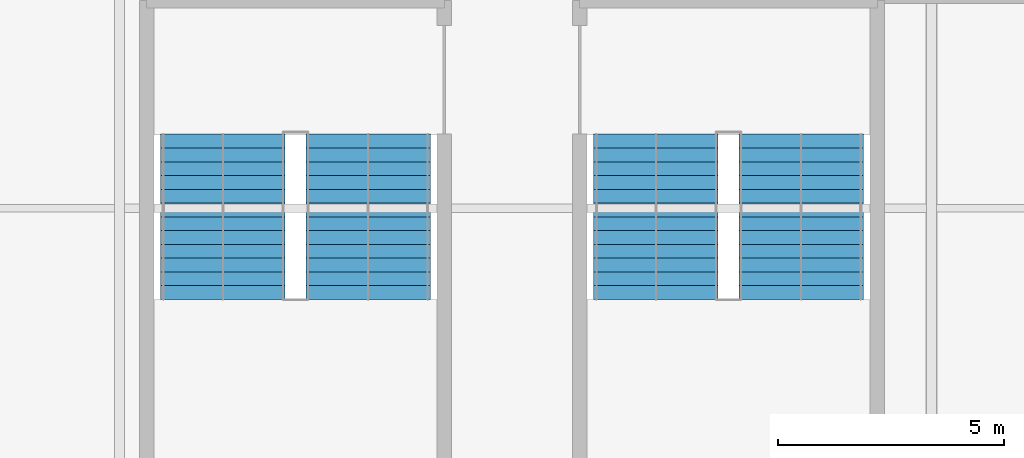
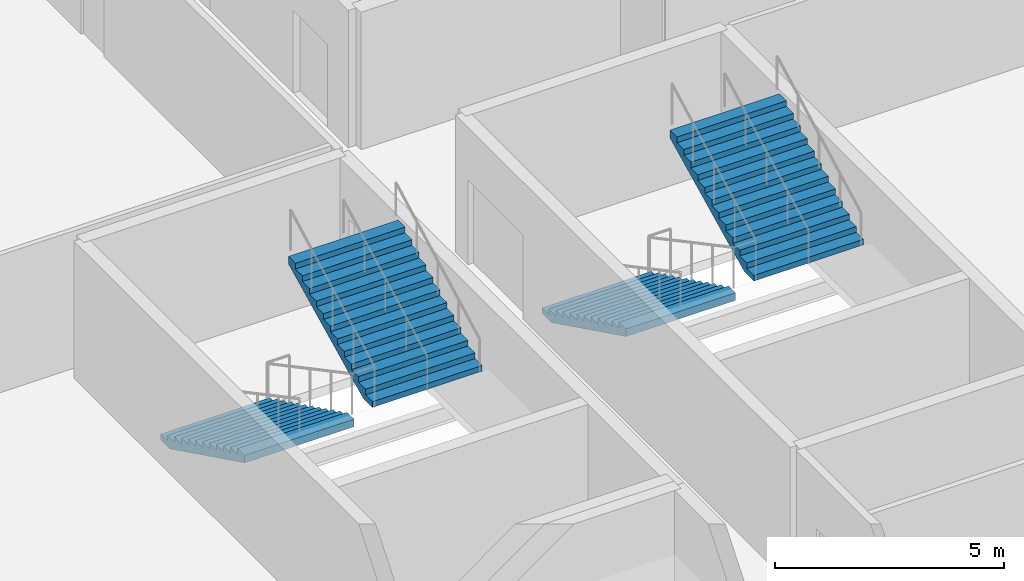
# One storey, part 30 of 35: 4 stair flights, 2 elements without a shape of their own.
"""IFC4 building model written with IfcOpenShell, lengths in metres."""

from ifc_helpers import new_model, si_unit, direction, frame, origin, place, context, subcontext, project, spatial, polygons, material, type_object, element, aggregate, save


model = new_model("IFC4")

# Units and contexts
model_context = context("Model", 3, precision=1e-05, world=origin(), true_north=direction((0.0, 1.0)))
body_context = subcontext(model_context, "Body", "Model", "MODEL_VIEW")
ifc_project = project(units=[si_unit("LENGTHUNIT", "METRE"), si_unit("AREAUNIT", "SQUARE_METRE"), si_unit("VOLUMEUNIT", "CUBIC_METRE"), si_unit("PLANEANGLEUNIT", "RADIAN"), si_unit("MASSUNIT", "GRAM", prefix="KILO")], contexts=[model_context])

# Site, building, storey
site_placement = place(None, origin())
site = spatial("IfcSite", under=ifc_project, at=site_placement, CompositionType="ELEMENT")
building_placement = place(site_placement, origin())
building = spatial("IfcBuilding", under=site, at=building_placement, Name="Kisiwana Market Hall", CompositionType="ELEMENT")
storey_placement = place(building_placement, frame((0.0, 0.0, 61.800048828125)))
storey = spatial("IfcBuildingStorey", under=building, at=storey_placement, Name="L14", CompositionType="ELEMENT", Elevation=61.800048828125)

# Stair, stair flights
ifc_material_1 = material(Name="Concrete C32/40", Category="concrete")
stair_type = type_object("IfcStairType", Name="ST-ESC-3900", PredefinedType="TWO_STRAIGHT_RUN_STAIR", material=ifc_material_1)
stair_1_placement = place(storey_placement, origin())
stair_1 = element("IfcStair", 1, at=stair_1_placement, inside=storey, type_object=stair_type, Name="Escape stair ST-E4-L14", PredefinedType="TWO_STRAIGHT_RUN_STAIR")
ifc_material_2 = material(Name="Concrete C32/40", Category="concrete")
stair_flight_type = type_object("IfcStairFlightType", Name="SF-ESC-3900", PredefinedType="STRAIGHT", material=ifc_material_2)
stair_flight_1_placement = place(storey_placement, frame((182.889892578125, 77.639892578125, 0.0), z_axis=(0.0, 0.0, 1.0), x_axis=(0.0, -1.0, 0.0)))
stair_flight_1 = element("IfcStairFlight", 2, at=stair_flight_1_placement, type_object=stair_flight_type, Name="ST-E4-L14 flight 1", NumberOfRisers=13, NumberOfTreads=12, PredefinedType="STRAIGHT", RiserHeight=0.15, TreadLength=0.305, context=body_context, shape_type="Tessellation", body=[
    polygons([(0.0, -1.380127, 0.0), (0.0, -0.690125, 0.0), (0.0, -0.000122, 0.0), (0.0, 0.68988, 0.0), (0.0, 1.379883, 0.0), (0.0, -1.380127, 0.149902), (0.0, -0.690125, 0.149902), (0.0, -0.000122, 0.149902), (0.0, 0.68988, 0.149902), (0.0, 1.379883, 0.149902), (0.304932, -1.380127, 0.149902), (0.304932, -0.690125, 0.149902), (0.304932, -0.000122, 0.149902), (0.304932, 0.68988, 0.149902), (0.304932, 1.379883, 0.149902), (0.304932, -1.380127, 0.300049), (0.304932, -0.690125, 0.300049), (0.304932, -0.000122, 0.300049), (0.304932, 0.68988, 0.300049), (0.304932, 1.379883, 0.300049), (0.610107, -1.380127, 0.300049), (0.610107, -0.690125, 0.300049), (0.610107, -0.000122, 0.300049), (0.610107, 0.68988, 0.300049), (0.610107, 1.379883, 0.300049), (0.610107, -1.380127, 0.449951), (0.610107, -0.690125, 0.449951), (0.610107, -0.000122, 0.449951), (0.610107, 0.68988, 0.449951), (0.610107, 1.379883, 0.449951), (0.915039, -1.380127, 0.449951), (0.915039, -0.690125, 0.449951), (0.915039, -0.000122, 0.449951), (0.915039, 0.68988, 0.449951), (0.915039, 1.379883, 0.449951), (0.915039, -1.380127, 0.600098), (0.915039, -0.690125, 0.600098), (0.915039, -0.000122, 0.600098), (0.915039, 0.68988, 0.600098), (0.915039, 1.379883, 0.600098), (1.219971, -1.380127, 0.600098), (1.219971, -0.690125, 0.600098), (1.219971, -0.000122, 0.600098), (1.219971, 0.68988, 0.600098), (1.219971, 1.379883, 0.600098), (1.219971, -1.380127, 0.75), (1.219971, -0.690125, 0.75), (1.219971, -0.000122, 0.75), (1.219971, 0.68988, 0.75), (1.219971, 1.379883, 0.75), (1.524902, -1.380127, 0.75), (1.524902, -0.690125, 0.75), (1.524902, -0.000122, 0.75), (1.524902, 0.68988, 0.75), (1.524902, 1.379883, 0.75), (1.524902, -1.380127, 0.899902), (1.524902, -0.690125, 0.899902), (1.524902, -0.000122, 0.899902), (1.524902, 0.68988, 0.899902), (1.524902, 1.379883, 0.899902), (1.830078, -1.380127, 0.899902), (1.830078, -0.690125, 0.899902), (1.830078, -0.000122, 0.899902), (1.830078, 0.68988, 0.899902), (1.830078, 1.379883, 0.899902), (1.830078, -1.380127, 1.050049), (1.830078, -0.690125, 1.050049), (1.830078, -0.000122, 1.050049), (1.830078, 0.68988, 1.050049), (1.830078, 1.379883, 1.050049), (2.13501, -1.380127, 1.050049), (2.13501, -0.690125, 1.050049), (2.13501, -0.000122, 1.050049), (2.13501, 0.68988, 1.050049), (2.13501, 1.379883, 1.050049), (2.13501, -1.380127, 1.199951), (2.13501, -0.690125, 1.199951), (2.13501, -0.000122, 1.199951), (2.13501, 0.68988, 1.199951), (2.13501, 1.379883, 1.199951), (2.439941, -1.380127, 1.199951), (2.439941, -0.690125, 1.199951), (2.439941, -0.000122, 1.199951), (2.439941, 0.68988, 1.199951), (2.439941, 1.379883, 1.199951), (2.439941, -1.380127, 1.350098), (2.439941, -0.690125, 1.350098), (2.439941, -0.000122, 1.350098), (2.439941, 0.68988, 1.350098), (2.439941, 1.379883, 1.350098), (2.745117, -1.380127, 1.350098), (2.745117, -0.690125, 1.350098), (2.745117, -0.000122, 1.350098), (2.745117, 0.68988, 1.350098), (2.745117, 1.379883, 1.350098), (2.745117, -1.380127, 1.5), (2.745117, -0.690125, 1.5), (2.745117, -0.000122, 1.5), (2.745117, 0.68988, 1.5), (2.745117, 1.379883, 1.5), (3.050049, -1.380127, 1.5), (3.050049, -0.690125, 1.5), (3.050049, -0.000122, 1.5), (3.050049, 0.68988, 1.5), (3.050049, 1.379883, 1.5), (3.050049, -1.380127, 1.649902), (3.050049, -0.690125, 1.649902), (3.050049, -0.000122, 1.649902), (3.050049, 0.68988, 1.649902), (3.050049, 1.379883, 1.649902), (3.35498, -1.380127, 1.649902), (3.35498, -0.690125, 1.649902), (3.35498, -0.000122, 1.649902), (3.35498, 0.68988, 1.649902), (3.35498, 1.379883, 1.649902), (3.35498, -1.380127, 1.800049), (3.35498, -0.690125, 1.800049), (3.35498, -0.000122, 1.800049), (3.35498, 0.68988, 1.800049), (3.35498, 1.379883, 1.800049), (3.659912, -1.380127, 1.800049), (3.659912, -0.690125, 1.800049), (3.659912, -0.000122, 1.800049), (3.659912, 0.68988, 1.800049), (3.659912, 1.379883, 1.800049), (3.659912, -1.380127, 1.599365), (3.659912, -0.690125, 1.599365), (3.659912, -0.000122, 1.599365), (3.659912, 0.68988, 1.599365), (3.659912, 1.379883, 1.599365), (0.407715, -1.380127, 0.0), (0.407715, -0.690125, 0.0), (0.407715, -0.000122, 0.0), (0.407715, 0.68988, 0.0), (0.407715, 1.379883, 0.0)], [[[1, 6, 7, 2]], [[2, 7, 8, 3]], [[3, 8, 9, 4]], [[4, 9, 10, 5]], [[6, 11, 12, 7]], [[7, 12, 13, 8]], [[8, 13, 14, 9]], [[9, 14, 15, 10]], [[11, 16, 17, 12]], [[12, 17, 18, 13]], [[13, 18, 19, 14]], [[14, 19, 20, 15]], [[16, 21, 22, 17]], [[17, 22, 23, 18]], [[18, 23, 24, 19]], [[19, 24, 25, 20]], [[21, 26, 27, 22]], [[22, 27, 28, 23]], [[23, 28, 29, 24]], [[24, 29, 30, 25]], [[26, 31, 32, 27]], [[27, 32, 33, 28]], [[28, 33, 34, 29]], [[29, 34, 35, 30]], [[31, 36, 37, 32]], [[32, 37, 38, 33]], [[33, 38, 39, 34]], [[34, 39, 40, 35]], [[36, 41, 42, 37]], [[37, 42, 43, 38]], [[38, 43, 44, 39]], [[39, 44, 45, 40]], [[41, 46, 47, 42]], [[42, 47, 48, 43]], [[43, 48, 49, 44]], [[44, 49, 50, 45]], [[46, 51, 52, 47]], [[47, 52, 53, 48]], [[48, 53, 54, 49]], [[49, 54, 55, 50]], [[51, 56, 57, 52]], [[52, 57, 58, 53]], [[53, 58, 59, 54]], [[54, 59, 60, 55]], [[56, 61, 62, 57]], [[57, 62, 63, 58]], [[58, 63, 64, 59]], [[59, 64, 65, 60]], [[61, 66, 67, 62]], [[62, 67, 68, 63]], [[63, 68, 69, 64]], [[64, 69, 70, 65]], [[66, 71, 72, 67]], [[67, 72, 73, 68]], [[68, 73, 74, 69]], [[69, 74, 75, 70]], [[71, 76, 77, 72]], [[72, 77, 78, 73]], [[73, 78, 79, 74]], [[74, 79, 80, 75]], [[76, 81, 82, 77]], [[77, 82, 83, 78]], [[78, 83, 84, 79]], [[79, 84, 85, 80]], [[81, 86, 87, 82]], [[82, 87, 88, 83]], [[83, 88, 89, 84]], [[84, 89, 90, 85]], [[86, 91, 92, 87]], [[87, 92, 93, 88]], [[88, 93, 94, 89]], [[89, 94, 95, 90]], [[91, 96, 97, 92]], [[92, 97, 98, 93]], [[93, 98, 99, 94]], [[94, 99, 100, 95]], [[96, 101, 102, 97]], [[97, 102, 103, 98]], [[98, 103, 104, 99]], [[99, 104, 105, 100]], [[101, 106, 107, 102]], [[102, 107, 108, 103]], [[103, 108, 109, 104]], [[104, 109, 110, 105]], [[106, 111, 112, 107]], [[107, 112, 113, 108]], [[108, 113, 114, 109]], [[109, 114, 115, 110]], [[111, 116, 117, 112]], [[112, 117, 118, 113]], [[113, 118, 119, 114]], [[114, 119, 120, 115]], [[116, 121, 122, 117]], [[117, 122, 123, 118]], [[118, 123, 124, 119]], [[119, 124, 125, 120]], [[121, 126, 127, 122]], [[122, 127, 128, 123]], [[123, 128, 129, 124]], [[124, 129, 130, 125]], [[126, 131, 132, 127]], [[127, 132, 133, 128]], [[128, 133, 134, 129]], [[129, 134, 135, 130]], [[131, 1, 2, 132]], [[132, 2, 3, 133]], [[133, 3, 4, 134]], [[134, 4, 5, 135]], [[131, 126, 121, 116, 111, 106, 101, 96, 91, 86, 81, 76, 71, 66, 61, 56, 51, 46, 41, 36, 31, 26, 21, 16, 11, 6, 1]], [[5, 10, 15, 20, 25, 30, 35, 40, 45, 50, 55, 60, 65, 70, 75, 80, 85, 90, 95, 100, 105, 110, 115, 120, 125, 130, 135]]], closed=True),
])
stair_flight_2_placement = place(storey_placement, frame((186.110107421875, 73.97998046875, 1.949951171875), z_axis=(0.0, 0.0, 1.0), x_axis=(0.0, 1.0, 0.0)))
stair_flight_2 = element("IfcStairFlight", 3, at=stair_flight_2_placement, type_object=stair_flight_type, Name="ST-E4-L14 flight 2", NumberOfRisers=13, NumberOfTreads=12, PredefinedType="STRAIGHT", RiserHeight=0.15, TreadLength=0.305, context=body_context, shape_type="Tessellation", body=[
    polygons([(0.0, -1.380127, 0.0), (0.0, -0.690125, 0.0), (0.0, -0.000122, 0.0), (0.0, 0.68988, 0.0), (0.0, 1.379883, 0.0), (0.0, -1.380127, 0.149902), (0.0, -0.690125, 0.149902), (0.0, -0.000122, 0.149902), (0.0, 0.68988, 0.149902), (0.0, 1.379883, 0.149902), (0.304932, -1.380127, 0.149902), (0.304932, -0.690125, 0.149902), (0.304932, -0.000122, 0.149902), (0.304932, 0.68988, 0.149902), (0.304932, 1.379883, 0.149902), (0.304932, -1.380127, 0.300049), (0.304932, -0.690125, 0.300049), (0.304932, -0.000122, 0.300049), (0.304932, 0.68988, 0.300049), (0.304932, 1.379883, 0.300049), (0.610107, -1.380127, 0.300049), (0.610107, -0.690125, 0.300049), (0.610107, -0.000122, 0.300049), (0.610107, 0.68988, 0.300049), (0.610107, 1.379883, 0.300049), (0.610107, -1.380127, 0.449951), (0.610107, -0.690125, 0.449951), (0.610107, -0.000122, 0.449951), (0.610107, 0.68988, 0.449951), (0.610107, 1.379883, 0.449951), (0.915039, -1.380127, 0.449951), (0.915039, -0.690125, 0.449951), (0.915039, -0.000122, 0.449951), (0.915039, 0.68988, 0.449951), (0.915039, 1.379883, 0.449951), (0.915039, -1.380127, 0.600098), (0.915039, -0.690125, 0.600098), (0.915039, -0.000122, 0.600098), (0.915039, 0.68988, 0.600098), (0.915039, 1.379883, 0.600098), (1.219971, -1.380127, 0.600098), (1.219971, -0.690125, 0.600098), (1.219971, -0.000122, 0.600098), (1.219971, 0.68988, 0.600098), (1.219971, 1.379883, 0.600098), (1.219971, -1.380127, 0.75), (1.219971, -0.690125, 0.75), (1.219971, -0.000122, 0.75), (1.219971, 0.68988, 0.75), (1.219971, 1.379883, 0.75), (1.524902, -1.380127, 0.75), (1.524902, -0.690125, 0.75), (1.524902, -0.000122, 0.75), (1.524902, 0.68988, 0.75), (1.524902, 1.379883, 0.75), (1.524902, -1.380127, 0.899902), (1.524902, -0.690125, 0.899902), (1.524902, -0.000122, 0.899902), (1.524902, 0.68988, 0.899902), (1.524902, 1.379883, 0.899902), (1.830078, -1.380127, 0.899902), (1.830078, -0.690125, 0.899902), (1.830078, -0.000122, 0.899902), (1.830078, 0.68988, 0.899902), (1.830078, 1.379883, 0.899902), (1.830078, -1.380127, 1.050049), (1.830078, -0.690125, 1.050049), (1.830078, -0.000122, 1.050049), (1.830078, 0.68988, 1.050049), (1.830078, 1.379883, 1.050049), (2.13501, -1.380127, 1.050049), (2.13501, -0.690125, 1.050049), (2.13501, -0.000122, 1.050049), (2.13501, 0.68988, 1.050049), (2.13501, 1.379883, 1.050049), (2.13501, -1.380127, 1.199951), (2.13501, -0.690125, 1.199951), (2.13501, -0.000122, 1.199951), (2.13501, 0.68988, 1.199951), (2.13501, 1.379883, 1.199951), (2.439941, -1.380127, 1.199951), (2.439941, -0.690125, 1.199951), (2.439941, -0.000122, 1.199951), (2.439941, 0.68988, 1.199951), (2.439941, 1.379883, 1.199951), (2.439941, -1.380127, 1.350098), (2.439941, -0.690125, 1.350098), (2.439941, -0.000122, 1.350098), (2.439941, 0.68988, 1.350098), (2.439941, 1.379883, 1.350098), (2.745117, -1.380127, 1.350098), (2.745117, -0.690125, 1.350098), (2.745117, -0.000122, 1.350098), (2.745117, 0.68988, 1.350098), (2.745117, 1.379883, 1.350098), (2.745117, -1.380127, 1.5), (2.745117, -0.690125, 1.5), (2.745117, -0.000122, 1.5), (2.745117, 0.68988, 1.5), (2.745117, 1.379883, 1.5), (3.050049, -1.380127, 1.5), (3.050049, -0.690125, 1.5), (3.050049, -0.000122, 1.5), (3.050049, 0.68988, 1.5), (3.050049, 1.379883, 1.5), (3.050049, -1.380127, 1.649902), (3.050049, -0.690125, 1.649902), (3.050049, -0.000122, 1.649902), (3.050049, 0.68988, 1.649902), (3.050049, 1.379883, 1.649902), (3.35498, -1.380127, 1.649902), (3.35498, -0.690125, 1.649902), (3.35498, -0.000122, 1.649902), (3.35498, 0.68988, 1.649902), (3.35498, 1.379883, 1.649902), (3.35498, -1.380127, 1.800049), (3.35498, -0.690125, 1.800049), (3.35498, -0.000122, 1.800049), (3.35498, 0.68988, 1.800049), (3.35498, 1.379883, 1.800049), (3.659912, -1.380127, 1.800049), (3.659912, -0.690125, 1.800049), (3.659912, -0.000122, 1.800049), (3.659912, 0.68988, 1.800049), (3.659912, 1.379883, 1.800049), (3.659912, -1.380127, 1.599365), (3.659912, -0.690125, 1.599365), (3.659912, -0.000122, 1.599365), (3.659912, 0.68988, 1.599365), (3.659912, 1.379883, 1.599365), (0.407715, -1.380127, 0.0), (0.407715, -0.690125, 0.0), (0.407715, -0.000122, 0.0), (0.407715, 0.68988, 0.0), (0.407715, 1.379883, 0.0)], [[[1, 6, 7, 2]], [[2, 7, 8, 3]], [[3, 8, 9, 4]], [[4, 9, 10, 5]], [[6, 11, 12, 7]], [[7, 12, 13, 8]], [[8, 13, 14, 9]], [[9, 14, 15, 10]], [[11, 16, 17, 12]], [[12, 17, 18, 13]], [[13, 18, 19, 14]], [[14, 19, 20, 15]], [[16, 21, 22, 17]], [[17, 22, 23, 18]], [[18, 23, 24, 19]], [[19, 24, 25, 20]], [[21, 26, 27, 22]], [[22, 27, 28, 23]], [[23, 28, 29, 24]], [[24, 29, 30, 25]], [[26, 31, 32, 27]], [[27, 32, 33, 28]], [[28, 33, 34, 29]], [[29, 34, 35, 30]], [[31, 36, 37, 32]], [[32, 37, 38, 33]], [[33, 38, 39, 34]], [[34, 39, 40, 35]], [[36, 41, 42, 37]], [[37, 42, 43, 38]], [[38, 43, 44, 39]], [[39, 44, 45, 40]], [[41, 46, 47, 42]], [[42, 47, 48, 43]], [[43, 48, 49, 44]], [[44, 49, 50, 45]], [[46, 51, 52, 47]], [[47, 52, 53, 48]], [[48, 53, 54, 49]], [[49, 54, 55, 50]], [[51, 56, 57, 52]], [[52, 57, 58, 53]], [[53, 58, 59, 54]], [[54, 59, 60, 55]], [[56, 61, 62, 57]], [[57, 62, 63, 58]], [[58, 63, 64, 59]], [[59, 64, 65, 60]], [[61, 66, 67, 62]], [[62, 67, 68, 63]], [[63, 68, 69, 64]], [[64, 69, 70, 65]], [[66, 71, 72, 67]], [[67, 72, 73, 68]], [[68, 73, 74, 69]], [[69, 74, 75, 70]], [[71, 76, 77, 72]], [[72, 77, 78, 73]], [[73, 78, 79, 74]], [[74, 79, 80, 75]], [[76, 81, 82, 77]], [[77, 82, 83, 78]], [[78, 83, 84, 79]], [[79, 84, 85, 80]], [[81, 86, 87, 82]], [[82, 87, 88, 83]], [[83, 88, 89, 84]], [[84, 89, 90, 85]], [[86, 91, 92, 87]], [[87, 92, 93, 88]], [[88, 93, 94, 89]], [[89, 94, 95, 90]], [[91, 96, 97, 92]], [[92, 97, 98, 93]], [[93, 98, 99, 94]], [[94, 99, 100, 95]], [[96, 101, 102, 97]], [[97, 102, 103, 98]], [[98, 103, 104, 99]], [[99, 104, 105, 100]], [[101, 106, 107, 102]], [[102, 107, 108, 103]], [[103, 108, 109, 104]], [[104, 109, 110, 105]], [[106, 111, 112, 107]], [[107, 112, 113, 108]], [[108, 113, 114, 109]], [[109, 114, 115, 110]], [[111, 116, 117, 112]], [[112, 117, 118, 113]], [[113, 118, 119, 114]], [[114, 119, 120, 115]], [[116, 121, 122, 117]], [[117, 122, 123, 118]], [[118, 123, 124, 119]], [[119, 124, 125, 120]], [[121, 126, 127, 122]], [[122, 127, 128, 123]], [[123, 128, 129, 124]], [[124, 129, 130, 125]], [[126, 131, 132, 127]], [[127, 132, 133, 128]], [[128, 133, 134, 129]], [[129, 134, 135, 130]], [[131, 1, 2, 132]], [[132, 2, 3, 133]], [[133, 3, 4, 134]], [[134, 4, 5, 135]], [[131, 126, 121, 116, 111, 106, 101, 96, 91, 86, 81, 76, 71, 66, 61, 56, 51, 46, 41, 36, 31, 26, 21, 16, 11, 6, 1]], [[5, 10, 15, 20, 25, 30, 35, 40, 45, 50, 55, 60, 65, 70, 75, 80, 85, 90, 95, 100, 105, 110, 115, 120, 125, 130, 135]]], closed=True),
])
aggregate(stair_1, [stair_flight_1, stair_flight_2])

stair_2_placement = place(storey_placement, origin())
stair_2 = element("IfcStair", 4, at=stair_2_placement, inside=storey, type_object=stair_type, Name="Escape stair ST-E8-L14", PredefinedType="TWO_STRAIGHT_RUN_STAIR")
stair_flight_3_placement = place(storey_placement, frame((173.2900390625, 77.639892578125, 0.0), z_axis=(0.0, 0.0, 1.0), x_axis=(0.0, -1.0, 0.0)))
stair_flight_3 = element("IfcStairFlight", 5, at=stair_flight_3_placement, type_object=stair_flight_type, Name="ST-E8-L14 flight 1", NumberOfRisers=13, NumberOfTreads=12, PredefinedType="STRAIGHT", RiserHeight=0.15, TreadLength=0.305, context=body_context, shape_type="Tessellation", body=[
    polygons([(0.0, -1.380127, 0.0), (0.0, -0.690125, 0.0), (0.0, -0.000122, 0.0), (0.0, 0.68988, 0.0), (0.0, 1.379883, 0.0), (0.0, -1.380127, 0.149902), (0.0, -0.690125, 0.149902), (0.0, -0.000122, 0.149902), (0.0, 0.68988, 0.149902), (0.0, 1.379883, 0.149902), (0.304932, -1.380127, 0.149902), (0.304932, -0.690125, 0.149902), (0.304932, -0.000122, 0.149902), (0.304932, 0.68988, 0.149902), (0.304932, 1.379883, 0.149902), (0.304932, -1.380127, 0.300049), (0.304932, -0.690125, 0.300049), (0.304932, -0.000122, 0.300049), (0.304932, 0.68988, 0.300049), (0.304932, 1.379883, 0.300049), (0.610107, -1.380127, 0.300049), (0.610107, -0.690125, 0.300049), (0.610107, -0.000122, 0.300049), (0.610107, 0.68988, 0.300049), (0.610107, 1.379883, 0.300049), (0.610107, -1.380127, 0.449951), (0.610107, -0.690125, 0.449951), (0.610107, -0.000122, 0.449951), (0.610107, 0.68988, 0.449951), (0.610107, 1.379883, 0.449951), (0.915039, -1.380127, 0.449951), (0.915039, -0.690125, 0.449951), (0.915039, -0.000122, 0.449951), (0.915039, 0.68988, 0.449951), (0.915039, 1.379883, 0.449951), (0.915039, -1.380127, 0.600098), (0.915039, -0.690125, 0.600098), (0.915039, -0.000122, 0.600098), (0.915039, 0.68988, 0.600098), (0.915039, 1.379883, 0.600098), (1.219971, -1.380127, 0.600098), (1.219971, -0.690125, 0.600098), (1.219971, -0.000122, 0.600098), (1.219971, 0.68988, 0.600098), (1.219971, 1.379883, 0.600098), (1.219971, -1.380127, 0.75), (1.219971, -0.690125, 0.75), (1.219971, -0.000122, 0.75), (1.219971, 0.68988, 0.75), (1.219971, 1.379883, 0.75), (1.524902, -1.380127, 0.75), (1.524902, -0.690125, 0.75), (1.524902, -0.000122, 0.75), (1.524902, 0.68988, 0.75), (1.524902, 1.379883, 0.75), (1.524902, -1.380127, 0.899902), (1.524902, -0.690125, 0.899902), (1.524902, -0.000122, 0.899902), (1.524902, 0.68988, 0.899902), (1.524902, 1.379883, 0.899902), (1.830078, -1.380127, 0.899902), (1.830078, -0.690125, 0.899902), (1.830078, -0.000122, 0.899902), (1.830078, 0.68988, 0.899902), (1.830078, 1.379883, 0.899902), (1.830078, -1.380127, 1.050049), (1.830078, -0.690125, 1.050049), (1.830078, -0.000122, 1.050049), (1.830078, 0.68988, 1.050049), (1.830078, 1.379883, 1.050049), (2.13501, -1.380127, 1.050049), (2.13501, -0.690125, 1.050049), (2.13501, -0.000122, 1.050049), (2.13501, 0.68988, 1.050049), (2.13501, 1.379883, 1.050049), (2.13501, -1.380127, 1.199951), (2.13501, -0.690125, 1.199951), (2.13501, -0.000122, 1.199951), (2.13501, 0.68988, 1.199951), (2.13501, 1.379883, 1.199951), (2.439941, -1.380127, 1.199951), (2.439941, -0.690125, 1.199951), (2.439941, -0.000122, 1.199951), (2.439941, 0.68988, 1.199951), (2.439941, 1.379883, 1.199951), (2.439941, -1.380127, 1.350098), (2.439941, -0.690125, 1.350098), (2.439941, -0.000122, 1.350098), (2.439941, 0.68988, 1.350098), (2.439941, 1.379883, 1.350098), (2.745117, -1.380127, 1.350098), (2.745117, -0.690125, 1.350098), (2.745117, -0.000122, 1.350098), (2.745117, 0.68988, 1.350098), (2.745117, 1.379883, 1.350098), (2.745117, -1.380127, 1.5), (2.745117, -0.690125, 1.5), (2.745117, -0.000122, 1.5), (2.745117, 0.68988, 1.5), (2.745117, 1.379883, 1.5), (3.050049, -1.380127, 1.5), (3.050049, -0.690125, 1.5), (3.050049, -0.000122, 1.5), (3.050049, 0.68988, 1.5), (3.050049, 1.379883, 1.5), (3.050049, -1.380127, 1.649902), (3.050049, -0.690125, 1.649902), (3.050049, -0.000122, 1.649902), (3.050049, 0.68988, 1.649902), (3.050049, 1.379883, 1.649902), (3.35498, -1.380127, 1.649902), (3.35498, -0.690125, 1.649902), (3.35498, -0.000122, 1.649902), (3.35498, 0.68988, 1.649902), (3.35498, 1.379883, 1.649902), (3.35498, -1.380127, 1.800049), (3.35498, -0.690125, 1.800049), (3.35498, -0.000122, 1.800049), (3.35498, 0.68988, 1.800049), (3.35498, 1.379883, 1.800049), (3.659912, -1.380127, 1.800049), (3.659912, -0.690125, 1.800049), (3.659912, -0.000122, 1.800049), (3.659912, 0.68988, 1.800049), (3.659912, 1.379883, 1.800049), (3.659912, -1.380127, 1.599365), (3.659912, -0.690125, 1.599365), (3.659912, -0.000122, 1.599365), (3.659912, 0.68988, 1.599365), (3.659912, 1.379883, 1.599365), (0.407715, -1.380127, 0.0), (0.407715, -0.690125, 0.0), (0.407715, -0.000122, 0.0), (0.407715, 0.68988, 0.0), (0.407715, 1.379883, 0.0)], [[[1, 6, 7, 2]], [[2, 7, 8, 3]], [[3, 8, 9, 4]], [[4, 9, 10, 5]], [[6, 11, 12, 7]], [[7, 12, 13, 8]], [[8, 13, 14, 9]], [[9, 14, 15, 10]], [[11, 16, 17, 12]], [[12, 17, 18, 13]], [[13, 18, 19, 14]], [[14, 19, 20, 15]], [[16, 21, 22, 17]], [[17, 22, 23, 18]], [[18, 23, 24, 19]], [[19, 24, 25, 20]], [[21, 26, 27, 22]], [[22, 27, 28, 23]], [[23, 28, 29, 24]], [[24, 29, 30, 25]], [[26, 31, 32, 27]], [[27, 32, 33, 28]], [[28, 33, 34, 29]], [[29, 34, 35, 30]], [[31, 36, 37, 32]], [[32, 37, 38, 33]], [[33, 38, 39, 34]], [[34, 39, 40, 35]], [[36, 41, 42, 37]], [[37, 42, 43, 38]], [[38, 43, 44, 39]], [[39, 44, 45, 40]], [[41, 46, 47, 42]], [[42, 47, 48, 43]], [[43, 48, 49, 44]], [[44, 49, 50, 45]], [[46, 51, 52, 47]], [[47, 52, 53, 48]], [[48, 53, 54, 49]], [[49, 54, 55, 50]], [[51, 56, 57, 52]], [[52, 57, 58, 53]], [[53, 58, 59, 54]], [[54, 59, 60, 55]], [[56, 61, 62, 57]], [[57, 62, 63, 58]], [[58, 63, 64, 59]], [[59, 64, 65, 60]], [[61, 66, 67, 62]], [[62, 67, 68, 63]], [[63, 68, 69, 64]], [[64, 69, 70, 65]], [[66, 71, 72, 67]], [[67, 72, 73, 68]], [[68, 73, 74, 69]], [[69, 74, 75, 70]], [[71, 76, 77, 72]], [[72, 77, 78, 73]], [[73, 78, 79, 74]], [[74, 79, 80, 75]], [[76, 81, 82, 77]], [[77, 82, 83, 78]], [[78, 83, 84, 79]], [[79, 84, 85, 80]], [[81, 86, 87, 82]], [[82, 87, 88, 83]], [[83, 88, 89, 84]], [[84, 89, 90, 85]], [[86, 91, 92, 87]], [[87, 92, 93, 88]], [[88, 93, 94, 89]], [[89, 94, 95, 90]], [[91, 96, 97, 92]], [[92, 97, 98, 93]], [[93, 98, 99, 94]], [[94, 99, 100, 95]], [[96, 101, 102, 97]], [[97, 102, 103, 98]], [[98, 103, 104, 99]], [[99, 104, 105, 100]], [[101, 106, 107, 102]], [[102, 107, 108, 103]], [[103, 108, 109, 104]], [[104, 109, 110, 105]], [[106, 111, 112, 107]], [[107, 112, 113, 108]], [[108, 113, 114, 109]], [[109, 114, 115, 110]], [[111, 116, 117, 112]], [[112, 117, 118, 113]], [[113, 118, 119, 114]], [[114, 119, 120, 115]], [[116, 121, 122, 117]], [[117, 122, 123, 118]], [[118, 123, 124, 119]], [[119, 124, 125, 120]], [[121, 126, 127, 122]], [[122, 127, 128, 123]], [[123, 128, 129, 124]], [[124, 129, 130, 125]], [[126, 131, 132, 127]], [[127, 132, 133, 128]], [[128, 133, 134, 129]], [[129, 134, 135, 130]], [[131, 1, 2, 132]], [[132, 2, 3, 133]], [[133, 3, 4, 134]], [[134, 4, 5, 135]], [[131, 126, 121, 116, 111, 106, 101, 96, 91, 86, 81, 76, 71, 66, 61, 56, 51, 46, 41, 36, 31, 26, 21, 16, 11, 6, 1]], [[5, 10, 15, 20, 25, 30, 35, 40, 45, 50, 55, 60, 65, 70, 75, 80, 85, 90, 95, 100, 105, 110, 115, 120, 125, 130, 135]]], closed=True),
])
stair_flight_4_placement = place(storey_placement, frame((176.510009765625, 73.97998046875, 1.949951171875), z_axis=(0.0, 0.0, 1.0), x_axis=(0.0, 1.0, 0.0)))
stair_flight_4 = element("IfcStairFlight", 6, at=stair_flight_4_placement, type_object=stair_flight_type, Name="ST-E8-L14 flight 2", NumberOfRisers=13, NumberOfTreads=12, PredefinedType="STRAIGHT", RiserHeight=0.15, TreadLength=0.305, context=body_context, shape_type="Tessellation", body=[
    polygons([(0.0, -1.380127, 0.0), (0.0, -0.690125, 0.0), (0.0, -0.000122, 0.0), (0.0, 0.68988, 0.0), (0.0, 1.379883, 0.0), (0.0, -1.380127, 0.149902), (0.0, -0.690125, 0.149902), (0.0, -0.000122, 0.149902), (0.0, 0.68988, 0.149902), (0.0, 1.379883, 0.149902), (0.304932, -1.380127, 0.149902), (0.304932, -0.690125, 0.149902), (0.304932, -0.000122, 0.149902), (0.304932, 0.68988, 0.149902), (0.304932, 1.379883, 0.149902), (0.304932, -1.380127, 0.300049), (0.304932, -0.690125, 0.300049), (0.304932, -0.000122, 0.300049), (0.304932, 0.68988, 0.300049), (0.304932, 1.379883, 0.300049), (0.610107, -1.380127, 0.300049), (0.610107, -0.690125, 0.300049), (0.610107, -0.000122, 0.300049), (0.610107, 0.68988, 0.300049), (0.610107, 1.379883, 0.300049), (0.610107, -1.380127, 0.449951), (0.610107, -0.690125, 0.449951), (0.610107, -0.000122, 0.449951), (0.610107, 0.68988, 0.449951), (0.610107, 1.379883, 0.449951), (0.915039, -1.380127, 0.449951), (0.915039, -0.690125, 0.449951), (0.915039, -0.000122, 0.449951), (0.915039, 0.68988, 0.449951), (0.915039, 1.379883, 0.449951), (0.915039, -1.380127, 0.600098), (0.915039, -0.690125, 0.600098), (0.915039, -0.000122, 0.600098), (0.915039, 0.68988, 0.600098), (0.915039, 1.379883, 0.600098), (1.219971, -1.380127, 0.600098), (1.219971, -0.690125, 0.600098), (1.219971, -0.000122, 0.600098), (1.219971, 0.68988, 0.600098), (1.219971, 1.379883, 0.600098), (1.219971, -1.380127, 0.75), (1.219971, -0.690125, 0.75), (1.219971, -0.000122, 0.75), (1.219971, 0.68988, 0.75), (1.219971, 1.379883, 0.75), (1.524902, -1.380127, 0.75), (1.524902, -0.690125, 0.75), (1.524902, -0.000122, 0.75), (1.524902, 0.68988, 0.75), (1.524902, 1.379883, 0.75), (1.524902, -1.380127, 0.899902), (1.524902, -0.690125, 0.899902), (1.524902, -0.000122, 0.899902), (1.524902, 0.68988, 0.899902), (1.524902, 1.379883, 0.899902), (1.830078, -1.380127, 0.899902), (1.830078, -0.690125, 0.899902), (1.830078, -0.000122, 0.899902), (1.830078, 0.68988, 0.899902), (1.830078, 1.379883, 0.899902), (1.830078, -1.380127, 1.050049), (1.830078, -0.690125, 1.050049), (1.830078, -0.000122, 1.050049), (1.830078, 0.68988, 1.050049), (1.830078, 1.379883, 1.050049), (2.13501, -1.380127, 1.050049), (2.13501, -0.690125, 1.050049), (2.13501, -0.000122, 1.050049), (2.13501, 0.68988, 1.050049), (2.13501, 1.379883, 1.050049), (2.13501, -1.380127, 1.199951), (2.13501, -0.690125, 1.199951), (2.13501, -0.000122, 1.199951), (2.13501, 0.68988, 1.199951), (2.13501, 1.379883, 1.199951), (2.439941, -1.380127, 1.199951), (2.439941, -0.690125, 1.199951), (2.439941, -0.000122, 1.199951), (2.439941, 0.68988, 1.199951), (2.439941, 1.379883, 1.199951), (2.439941, -1.380127, 1.350098), (2.439941, -0.690125, 1.350098), (2.439941, -0.000122, 1.350098), (2.439941, 0.68988, 1.350098), (2.439941, 1.379883, 1.350098), (2.745117, -1.380127, 1.350098), (2.745117, -0.690125, 1.350098), (2.745117, -0.000122, 1.350098), (2.745117, 0.68988, 1.350098), (2.745117, 1.379883, 1.350098), (2.745117, -1.380127, 1.5), (2.745117, -0.690125, 1.5), (2.745117, -0.000122, 1.5), (2.745117, 0.68988, 1.5), (2.745117, 1.379883, 1.5), (3.050049, -1.380127, 1.5), (3.050049, -0.690125, 1.5), (3.050049, -0.000122, 1.5), (3.050049, 0.68988, 1.5), (3.050049, 1.379883, 1.5), (3.050049, -1.380127, 1.649902), (3.050049, -0.690125, 1.649902), (3.050049, -0.000122, 1.649902), (3.050049, 0.68988, 1.649902), (3.050049, 1.379883, 1.649902), (3.35498, -1.380127, 1.649902), (3.35498, -0.690125, 1.649902), (3.35498, -0.000122, 1.649902), (3.35498, 0.68988, 1.649902), (3.35498, 1.379883, 1.649902), (3.35498, -1.380127, 1.800049), (3.35498, -0.690125, 1.800049), (3.35498, -0.000122, 1.800049), (3.35498, 0.68988, 1.800049), (3.35498, 1.379883, 1.800049), (3.659912, -1.380127, 1.800049), (3.659912, -0.690125, 1.800049), (3.659912, -0.000122, 1.800049), (3.659912, 0.68988, 1.800049), (3.659912, 1.379883, 1.800049), (3.659912, -1.380127, 1.599365), (3.659912, -0.690125, 1.599365), (3.659912, -0.000122, 1.599365), (3.659912, 0.68988, 1.599365), (3.659912, 1.379883, 1.599365), (0.407715, -1.380127, 0.0), (0.407715, -0.690125, 0.0), (0.407715, -0.000122, 0.0), (0.407715, 0.68988, 0.0), (0.407715, 1.379883, 0.0)], [[[1, 6, 7, 2]], [[2, 7, 8, 3]], [[3, 8, 9, 4]], [[4, 9, 10, 5]], [[6, 11, 12, 7]], [[7, 12, 13, 8]], [[8, 13, 14, 9]], [[9, 14, 15, 10]], [[11, 16, 17, 12]], [[12, 17, 18, 13]], [[13, 18, 19, 14]], [[14, 19, 20, 15]], [[16, 21, 22, 17]], [[17, 22, 23, 18]], [[18, 23, 24, 19]], [[19, 24, 25, 20]], [[21, 26, 27, 22]], [[22, 27, 28, 23]], [[23, 28, 29, 24]], [[24, 29, 30, 25]], [[26, 31, 32, 27]], [[27, 32, 33, 28]], [[28, 33, 34, 29]], [[29, 34, 35, 30]], [[31, 36, 37, 32]], [[32, 37, 38, 33]], [[33, 38, 39, 34]], [[34, 39, 40, 35]], [[36, 41, 42, 37]], [[37, 42, 43, 38]], [[38, 43, 44, 39]], [[39, 44, 45, 40]], [[41, 46, 47, 42]], [[42, 47, 48, 43]], [[43, 48, 49, 44]], [[44, 49, 50, 45]], [[46, 51, 52, 47]], [[47, 52, 53, 48]], [[48, 53, 54, 49]], [[49, 54, 55, 50]], [[51, 56, 57, 52]], [[52, 57, 58, 53]], [[53, 58, 59, 54]], [[54, 59, 60, 55]], [[56, 61, 62, 57]], [[57, 62, 63, 58]], [[58, 63, 64, 59]], [[59, 64, 65, 60]], [[61, 66, 67, 62]], [[62, 67, 68, 63]], [[63, 68, 69, 64]], [[64, 69, 70, 65]], [[66, 71, 72, 67]], [[67, 72, 73, 68]], [[68, 73, 74, 69]], [[69, 74, 75, 70]], [[71, 76, 77, 72]], [[72, 77, 78, 73]], [[73, 78, 79, 74]], [[74, 79, 80, 75]], [[76, 81, 82, 77]], [[77, 82, 83, 78]], [[78, 83, 84, 79]], [[79, 84, 85, 80]], [[81, 86, 87, 82]], [[82, 87, 88, 83]], [[83, 88, 89, 84]], [[84, 89, 90, 85]], [[86, 91, 92, 87]], [[87, 92, 93, 88]], [[88, 93, 94, 89]], [[89, 94, 95, 90]], [[91, 96, 97, 92]], [[92, 97, 98, 93]], [[93, 98, 99, 94]], [[94, 99, 100, 95]], [[96, 101, 102, 97]], [[97, 102, 103, 98]], [[98, 103, 104, 99]], [[99, 104, 105, 100]], [[101, 106, 107, 102]], [[102, 107, 108, 103]], [[103, 108, 109, 104]], [[104, 109, 110, 105]], [[106, 111, 112, 107]], [[107, 112, 113, 108]], [[108, 113, 114, 109]], [[109, 114, 115, 110]], [[111, 116, 117, 112]], [[112, 117, 118, 113]], [[113, 118, 119, 114]], [[114, 119, 120, 115]], [[116, 121, 122, 117]], [[117, 122, 123, 118]], [[118, 123, 124, 119]], [[119, 124, 125, 120]], [[121, 126, 127, 122]], [[122, 127, 128, 123]], [[123, 128, 129, 124]], [[124, 129, 130, 125]], [[126, 131, 132, 127]], [[127, 132, 133, 128]], [[128, 133, 134, 129]], [[129, 134, 135, 130]], [[131, 1, 2, 132]], [[132, 2, 3, 133]], [[133, 3, 4, 134]], [[134, 4, 5, 135]], [[131, 126, 121, 116, 111, 106, 101, 96, 91, 86, 81, 76, 71, 66, 61, 56, 51, 46, 41, 36, 31, 26, 21, 16, 11, 6, 1]], [[5, 10, 15, 20, 25, 30, 35, 40, 45, 50, 55, 60, 65, 70, 75, 80, 85, 90, 95, 100, 105, 110, 115, 120, 125, 130, 135]]], closed=True),
])
aggregate(stair_2, [stair_flight_3, stair_flight_4])

save(model, "model.ifc")
